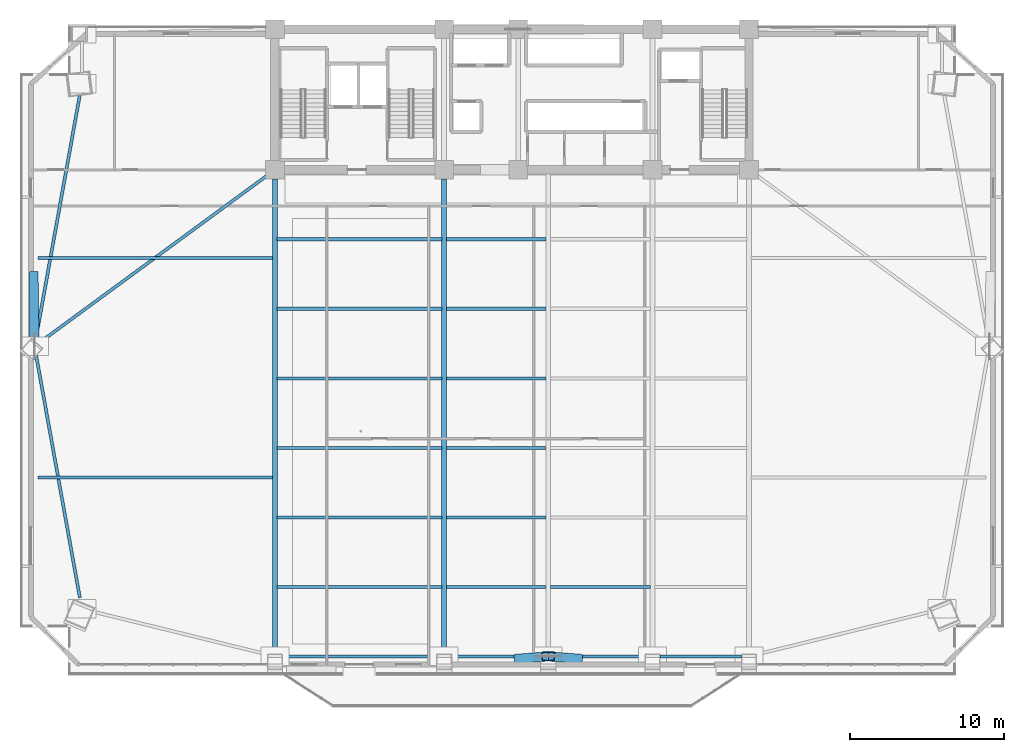
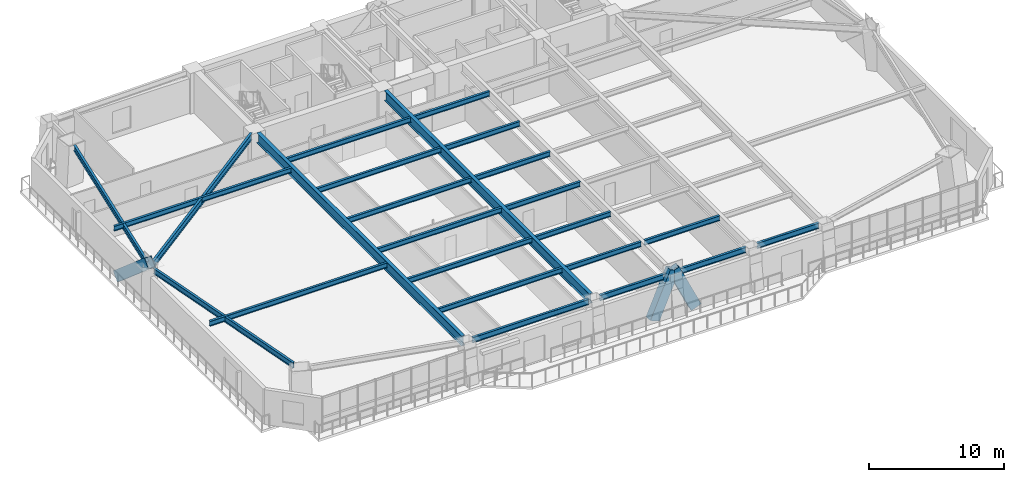
# One storey, part 3 of 16: 24 beams, 3 members.
"""IFC4 building model written with IfcOpenShell, lengths in metres."""

from ifc_helpers import new_model, si_unit, direction, frame, origin, origin_2d, place, context, subcontext, project, spatial, hollow_rectangle, i_section, extrude, source, transform, mapped, material, material_profile, profile_set, type_object, element, save


model = new_model("IFC4")

# Units and contexts
model_context = context("Model", 3, precision=1e-05, world=origin(), true_north=direction((0.0, 1.0)))
body_context = subcontext(model_context, "Body", "Model", "MODEL_VIEW")
ifc_project = project(units=[si_unit("LENGTHUNIT", "METRE"), si_unit("AREAUNIT", "SQUARE_METRE"), si_unit("VOLUMEUNIT", "CUBIC_METRE"), si_unit("PLANEANGLEUNIT", "RADIAN"), si_unit("MASSUNIT", "GRAM", prefix="KILO")], contexts=[model_context])

# Site, building, storey
site_placement = place(None, origin())
site = spatial("IfcSite", under=ifc_project, at=site_placement, CompositionType="ELEMENT")
building_placement = place(site_placement, origin())
building = spatial("IfcBuilding", under=site, at=building_placement, Name="Giltprow Tower", CompositionType="ELEMENT")
storey_placement = place(building_placement, frame((0.0, 0.0, 83.5)))
storey = spatial("IfcBuildingStorey", under=building, at=storey_placement, Name="L20", CompositionType="ELEMENT", Elevation=83.5)

# Beams
ifc_material_1 = material(Name="Structural steel Q355B", Category="steel")
ifc_material_profile_1 = material_profile(ifc_material_1, i_section(OverallWidth=0.199951171875, OverallDepth=0.449951171875, WebThickness=0.009033203125, FlangeThickness=0.013916015625, at=origin_2d()), Name="HN 450x200x9x14")
ifc_profile_set_1 = profile_set([ifc_material_profile_1], Name="Structural steel Q355B")
beam_type_1 = type_object("IfcBeamType", Name="BM-JOIST-HN450", PredefinedType="JOIST", material=ifc_profile_set_1)
shared_shape_1 = source(origin(), body_context, "Body", "SweptSolid", [
    extrude(i_section(OverallWidth=0.199951171875, OverallDepth=0.449951171875, WebThickness=0.009033203125, FlangeThickness=0.013916015625, at=origin_2d()), origin(), (0.0, 0.0, 1.0), 10.659912109375),
])
for number, where, z_axis, x_axis, name in (
    (1, (19.9951171875, 10.43798828125, 3.455078125), (1.0, 0.0, 0.0), (0.0, 1.0, 0.0), "L20 Composite Floor Joist 1-1"),
    (2, (19.9951171875, 14.93994140625, 3.455078125), (1.0, 0.0, 0.0), (0.0, 1.0, 0.0), "L20 Composite Floor Joist 2-1"),
    (3, (19.9951171875, 19.44189453125, 3.455078125), (1.0, 0.0, 0.0), (0.0, 1.0, 0.0), "L20 Composite Floor Joist 3-1"),
    (4, (19.9951171875, 23.944091796875, 3.455078125), (1.0, 0.0, 0.0), (0.0, 1.0, 0.0), "L20 Composite Floor Joist 4-1"),
    (5, (19.9951171875, 28.446044921875, 3.455078125), (1.0, 0.0, 0.0), (0.0, 1.0, 0.0), "L20 Composite Floor Joist 5-1"),
    (6, (19.9951171875, 32.947998046875, 3.455078125), (1.0, 0.0, 0.0), (0.0, 1.0, 0.0), "L20 Composite Floor Joist 6-1"),
):
    element("IfcBeam", number, at=place(storey_placement, frame(where, z_axis=z_axis, x_axis=x_axis)), inside=storey, type_object=beam_type_1, Name=name, PredefinedType="JOIST", context=body_context, shape_type="MappedRepresentation", body=[
        mapped(shared_shape_1, transform((0.0, 0.0, 0.0), x_axis=(1.0, 0.0, 0.0), y_axis=(0.0, 1.0, 0.0), z_axis=(0.0, 0.0, 1.0), scale=1.0)),
    ])
shared_shape_2 = source(origin(), body_context, "Body", "SweptSolid", [
    extrude(i_section(OverallWidth=0.199951171875, OverallDepth=0.449951171875, WebThickness=0.009033203125, FlangeThickness=0.013916015625, at=origin_2d()), origin(), (0.0, 0.0, 1.0), 6.4599609375),
])
for number, where, z_axis, x_axis, name in (
    (7, (30.945068359375, 10.43798828125, 3.455078125), (1.0, 0.0, 0.0), (0.0, 1.0, 0.0), "L20 Composite Floor Joist 1-2"),
    (8, (37.695068359375, 10.43798828125, 3.455078125), (1.0, 0.0, 0.0), (0.0, 1.0, 0.0), "L20 Composite Floor Joist 1-3"),
    (9, (30.945068359375, 14.93994140625, 3.455078125), (1.0, 0.0, 0.0), (0.0, 1.0, 0.0), "L20 Composite Floor Joist 2-2"),
    (10, (30.945068359375, 19.44189453125, 3.455078125), (1.0, 0.0, 0.0), (0.0, 1.0, 0.0), "L20 Composite Floor Joist 3-2"),
    (11, (30.945068359375, 23.944091796875, 3.455078125), (1.0, 0.0, 0.0), (0.0, 1.0, 0.0), "L20 Composite Floor Joist 4-2"),
    (12, (30.945068359375, 28.446044921875, 3.455078125), (1.0, 0.0, 0.0), (0.0, 1.0, 0.0), "L20 Composite Floor Joist 5-2"),
    (13, (30.945068359375, 32.947998046875, 3.455078125), (1.0, 0.0, 0.0), (0.0, 1.0, 0.0), "L20 Composite Floor Joist 6-2"),
):
    element("IfcBeam", number, at=place(storey_placement, frame(where, z_axis=z_axis, x_axis=x_axis)), inside=storey, type_object=beam_type_1, Name=name, PredefinedType="JOIST", context=body_context, shape_type="MappedRepresentation", body=[
        mapped(shared_shape_2, transform((0.0, 0.0, 0.0), x_axis=(1.0, 0.0, 0.0), y_axis=(0.0, 1.0, 0.0), z_axis=(0.0, 0.0, 1.0), scale=1.0)),
    ])
ifc_material_profile_2 = material_profile(ifc_material_1, i_section(OverallWidth=0.199951171875, OverallDepth=0.5, WebThickness=0.010009765625, FlangeThickness=0.01611328125, at=origin_2d()), Name="HN 500x200x10x16")
ifc_profile_set_2 = profile_set([ifc_material_profile_2], Name="Structural steel Q355B")
beam_type_2 = type_object("IfcBeamType", Name="BM-SPAN-HN500", PredefinedType="SPANDREL", material=ifc_profile_set_2)
shared_shape_3 = source(origin(), body_context, "Body", "SweptSolid", [
    extrude(i_section(OverallWidth=0.199951171875, OverallDepth=0.5, WebThickness=0.010009765625, FlangeThickness=0.01611328125, at=origin_2d()), origin(), (0.0, 0.0, 1.0), 9.97998046875),
])
beam_1_placement = place(storey_placement, frame((20.3349609375, 5.93603515625, 3.429931640625), z_axis=(1.0, 0.0, 0.0), x_axis=(0.0, 1.0, 0.0)))
element("IfcBeam", 14, at=beam_1_placement, inside=storey, type_object=beam_type_2, Name="L20 Perimeter Spandrel Beam S1-S2", PredefinedType="SPANDREL", context=body_context, shape_type="MappedRepresentation", body=[
    mapped(shared_shape_3, transform((0.0, 0.0, 0.0), x_axis=(1.0, 0.0, 0.0), y_axis=(0.0, 1.0, 0.0), z_axis=(0.0, 0.0, 1.0), scale=1.0)),
])
shared_shape_4 = source(origin(), body_context, "Body", "SweptSolid", [
    extrude(i_section(OverallWidth=0.199951171875, OverallDepth=0.5, WebThickness=0.010009765625, FlangeThickness=0.01611328125, at=origin_2d()), origin(), (0.0, 0.0, 1.0), 5.780029296875),
])
for number, where, z_axis, x_axis, name in (
    (15, (31.284912109375, 5.93603515625, 3.429931640625), (1.0, 0.0, 0.0), (0.0, 1.0, 0.0), "L20 Perimeter Spandrel Beam S2-S_MID"),
    (16, (38.034912109375, 5.93603515625, 3.429931640625), (1.0, 0.0, 0.0), (0.0, 1.0, 0.0), "L20 Perimeter Spandrel Beam S_MID-S3"),
):
    element("IfcBeam", number, at=place(storey_placement, frame(where, z_axis=z_axis, x_axis=x_axis)), inside=storey, type_object=beam_type_2, Name=name, PredefinedType="SPANDREL", context=body_context, shape_type="MappedRepresentation", body=[
        mapped(shared_shape_4, transform((0.0, 0.0, 0.0), x_axis=(1.0, 0.0, 0.0), y_axis=(0.0, 1.0, 0.0), z_axis=(0.0, 0.0, 1.0), scale=1.0)),
    ])
shared_shape_5 = source(origin(), body_context, "Body", "SweptSolid", [
    extrude(i_section(OverallWidth=0.199951171875, OverallDepth=0.5, WebThickness=0.010009765625, FlangeThickness=0.01611328125, at=origin_2d()), origin(), (0.0, 0.0, 1.0), 5.280029296875),
])
beam_2_placement = place(storey_placement, frame((44.784912109375, 5.93603515625, 3.429931640625), z_axis=(1.0, 0.0, 0.0), x_axis=(0.0, 1.0, 0.0)))
element("IfcBeam", 17, at=beam_2_placement, inside=storey, type_object=beam_type_2, Name="L20 Perimeter Spandrel Beam S3-S4", PredefinedType="SPANDREL", context=body_context, shape_type="MappedRepresentation", body=[
    mapped(shared_shape_5, transform((0.0, 0.0, 0.0), x_axis=(1.0, 0.0, 0.0), y_axis=(0.0, 1.0, 0.0), z_axis=(0.0, 0.0, 1.0), scale=1.0)),
])
shared_shape_6 = source(origin(), body_context, "Body", "SweptSolid", [
    extrude(i_section(OverallWidth=0.199951171875, OverallDepth=0.5, WebThickness=0.010009765625, FlangeThickness=0.01611328125, at=origin_2d()), origin(), (0.0, 0.0, 1.0), 16.0673828125),
])
beam_3_placement = place(storey_placement, frame((4.361083984375, 25.541015625, 3.429931640625), z_axis=(0.177566852067, -0.984108740459, 0.0), x_axis=(0.984108740459, 0.177566852067, 0.0)))
element("IfcBeam", 18, at=beam_3_placement, inside=storey, type_object=beam_type_2, Name="L20 Perimeter Spandrel Beam W_MID-MC_SW", PredefinedType="SPANDREL", context=body_context, shape_type="MappedRepresentation", body=[
    mapped(shared_shape_6, transform((0.0, 0.0, 0.0), x_axis=(1.0, 0.0, 0.0), y_axis=(0.0, 1.0, 0.0), z_axis=(0.0, 0.0, 1.0), scale=1.0)),
])
shared_shape_7 = source(origin(), body_context, "Body", "SweptSolid", [
    extrude(i_section(OverallWidth=0.199951171875, OverallDepth=0.5, WebThickness=0.010009765625, FlangeThickness=0.01611328125, at=origin_2d()), origin(), (0.0, 0.0, 1.0), 16.067138671875),
])
beam_4_placement = place(storey_placement, frame((7.214111328125, 42.306884765625, 3.429931640625), z_axis=(-0.177569507329, -0.984108261355, 0.0), x_axis=(0.984108261355, -0.177569507329, 0.0)))
element("IfcBeam", 19, at=beam_4_placement, inside=storey, type_object=beam_type_2, Name="L20 Perimeter Spandrel Beam MC_NW-W_MID", PredefinedType="SPANDREL", context=body_context, shape_type="MappedRepresentation", body=[
    mapped(shared_shape_7, transform((0.0, 0.0, 0.0), x_axis=(1.0, 0.0, 0.0), y_axis=(0.0, 1.0, 0.0), z_axis=(0.0, 0.0, 1.0), scale=1.0)),
])
ifc_material_profile_3 = material_profile(ifc_material_1, i_section(OverallWidth=0.300048828125, OverallDepth=0.89990234375, WebThickness=0.01611328125, FlangeThickness=0.028076171875, at=origin_2d()), Name="HN 900x300x16x28")
ifc_profile_set_3 = profile_set([ifc_material_profile_3], Name="Structural steel Q355B")
beam_type_3 = type_object("IfcBeamType", Name="BM-GIRD-HN900", PredefinedType="BEAM", material=ifc_profile_set_3)
shared_shape_8 = source(origin(), body_context, "Body", "SweptSolid", [
    extrude(i_section(OverallWidth=0.300048828125, OverallDepth=0.89990234375, WebThickness=0.01611328125, FlangeThickness=0.028076171875, at=origin_2d()), origin(), (0.0, 0.0, 1.0), 30.444091796875),
])
for number, where, z_axis, x_axis, name in (
    (20, (19.85009765625, 6.4208984375, 3.22998046875), (0.0, 1.0, 0.0), (-1.0, 0.0, 0.0), "L20 Primary Lease Girder S1"),
    (21, (30.800048828125, 6.4208984375, 3.22998046875), (0.0, 1.0, 0.0), (-1.0, 0.0, 0.0), "L20 Primary Lease Girder S2"),
):
    element("IfcBeam", number, at=place(storey_placement, frame(where, z_axis=z_axis, x_axis=x_axis)), inside=storey, type_object=beam_type_3, Name=name, PredefinedType="BEAM", context=body_context, shape_type="MappedRepresentation", body=[
        mapped(shared_shape_8, transform((0.0, 0.0, 0.0), x_axis=(1.0, 0.0, 0.0), y_axis=(0.0, 1.0, 0.0), z_axis=(0.0, 0.0, 1.0), scale=1.0)),
    ])
ifc_material_profile_4 = material_profile(ifc_material_1, i_section(OverallWidth=0.199951171875, OverallDepth=0.60009765625, WebThickness=0.010986328125, FlangeThickness=0.01708984375, at=origin_2d()), Name="HN 600x200x11x17")
ifc_profile_set_4 = profile_set([ifc_material_profile_4], Name="Structural steel Q355B")
beam_type_4 = type_object("IfcBeamType", Name="BM-GIRD-HN600", PredefinedType="BEAM", material=ifc_profile_set_4)
shared_shape_9 = source(origin(), body_context, "Body", "SweptSolid", [
    extrude(i_section(OverallWidth=0.199951171875, OverallDepth=0.60009765625, WebThickness=0.010986328125, FlangeThickness=0.01708984375, at=origin_2d()), origin(), (0.0, 0.0, 1.0), 18.25),
])
beam_5_placement = place(storey_placement, frame((4.666015625, 26.304931640625, 3.3798828125), z_axis=(0.806134846407, 0.591731872903, 0.0), x_axis=(-0.591731872903, 0.806134846407, 0.0)))
element("IfcBeam", 22, at=beam_5_placement, inside=storey, type_object=beam_type_4, Name="L20 West Wing Primary Girder", PredefinedType="BEAM", context=body_context, shape_type="MappedRepresentation", body=[
    mapped(shared_shape_9, transform((0.0, 0.0, 0.0), x_axis=(1.0, 0.0, 0.0), y_axis=(0.0, 1.0, 0.0), z_axis=(0.0, 0.0, 1.0), scale=1.0)),
])
shared_shape_10 = source(origin(), body_context, "Body", "SweptSolid", [
    extrude(i_section(OverallWidth=0.199951171875, OverallDepth=0.449951171875, WebThickness=0.009033203125, FlangeThickness=0.013916015625, at=origin_2d()), origin(), (0.0, 0.0, 1.0), 15.2099609375),
])
for number, where, z_axis, x_axis, name in (
    (23, (4.4951171875, 17.511962890625, 3.455078125), (1.0, 0.0, 0.0), (0.0, 1.0, 0.0), "L20 West Wing Floor Joist 1"),
    (24, (4.4951171875, 31.73388671875, 3.455078125), (1.0, 0.0, 0.0), (0.0, 1.0, 0.0), "L20 West Wing Floor Joist 2"),
):
    element("IfcBeam", number, at=place(storey_placement, frame(where, z_axis=z_axis, x_axis=x_axis)), inside=storey, type_object=beam_type_1, Name=name, PredefinedType="JOIST", context=body_context, shape_type="MappedRepresentation", body=[
        mapped(shared_shape_10, transform((0.0, 0.0, 0.0), x_axis=(1.0, 0.0, 0.0), y_axis=(0.0, 1.0, 0.0), z_axis=(0.0, 0.0, 1.0), scale=1.0)),
    ])

# Members
ifc_material_2 = material(Name="Structural steel Q420GJC", Category="steel")
ifc_material_profile_5 = material_profile(ifc_material_2, hollow_rectangle(XDim=0.60009765625, YDim=0.89990234375, WallThickness=0.0400390625, at=origin_2d()), Name="RHS 900x600x40")
ifc_profile_set_5 = profile_set([ifc_material_profile_5], Name="Structural steel Q420GJC")
member_type = type_object("IfcMemberType", Name="MBR-MEGA-RHS900", PredefinedType="BRACE", material=ifc_profile_set_5)
shared_shape_11 = source(origin(), body_context, "Body", "SweptSolid", [
    extrude(hollow_rectangle(XDim=0.60009765625, YDim=0.89990234375, WallThickness=0.0400390625, at=origin_2d()), origin(), (0.0, 0.0, 1.0), 4.298828125),
])
for number, where, z_axis, x_axis, name in (
    (25, (35.7470703125, 5.794921875, 0.0), (0.419412090339, 0.032826024132, 0.907202265549), (-0.07802813392, 0.996951157438, 0.0), "L20 Chevron Mega-Brace S-L"),
    (26, (39.35302734375, 5.794921875, 0.0), (-0.419412090339, 0.032826024132, 0.907202265549), (-0.07802813392, -0.996951157438, 0.0), "L20 Chevron Mega-Brace S-R"),
):
    element("IfcMember", number, at=place(storey_placement, frame(where, z_axis=z_axis, x_axis=x_axis)), inside=storey, type_object=member_type, Name=name, PredefinedType="BRACE", context=body_context, shape_type="MappedRepresentation", body=[
        mapped(shared_shape_11, transform((0.0, 0.0, 0.0), x_axis=(1.0, 0.0, 0.0), y_axis=(0.0, 1.0, 0.0), z_axis=(0.0, 0.0, 1.0), scale=1.0)),
    ])
shared_shape_12 = source(origin(), body_context, "Body", "SweptSolid", [
    extrude(hollow_rectangle(XDim=0.60009765625, YDim=0.89990234375, WallThickness=0.0400390625, at=origin_2d()), origin(), (0.0, 0.0, 1.0), 5.98291015625),
])
member_placement = place(storey_placement, frame((4.2119140625, 30.554931640625, 0.0), z_axis=(0.010527866597, -0.758292034762, 0.651830003944), x_axis=(0.999903635964, 0.013882319221, 0.0)))
element("IfcMember", 27, at=member_placement, inside=storey, type_object=member_type, Name="L20 Chevron Mega-Brace W-R", PredefinedType="BRACE", context=body_context, shape_type="MappedRepresentation", body=[
    mapped(shared_shape_12, transform((0.0, 0.0, 0.0), x_axis=(1.0, 0.0, 0.0), y_axis=(0.0, 1.0, 0.0), z_axis=(0.0, 0.0, 1.0), scale=1.0)),
])

save(model, "model.ifc")
